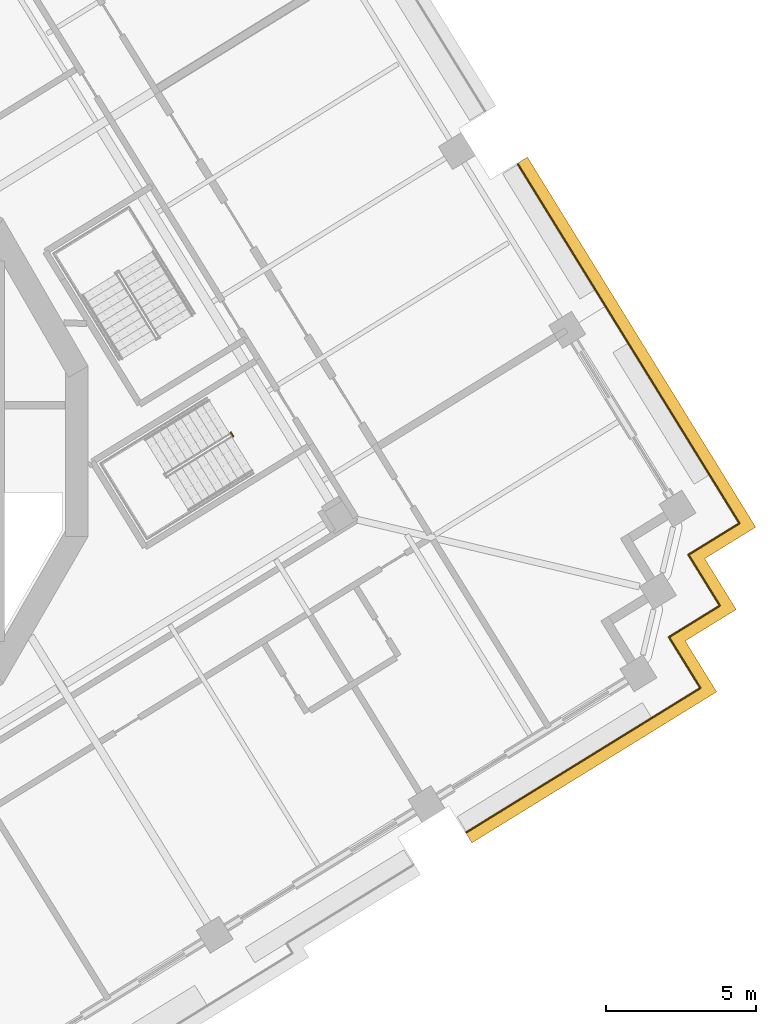
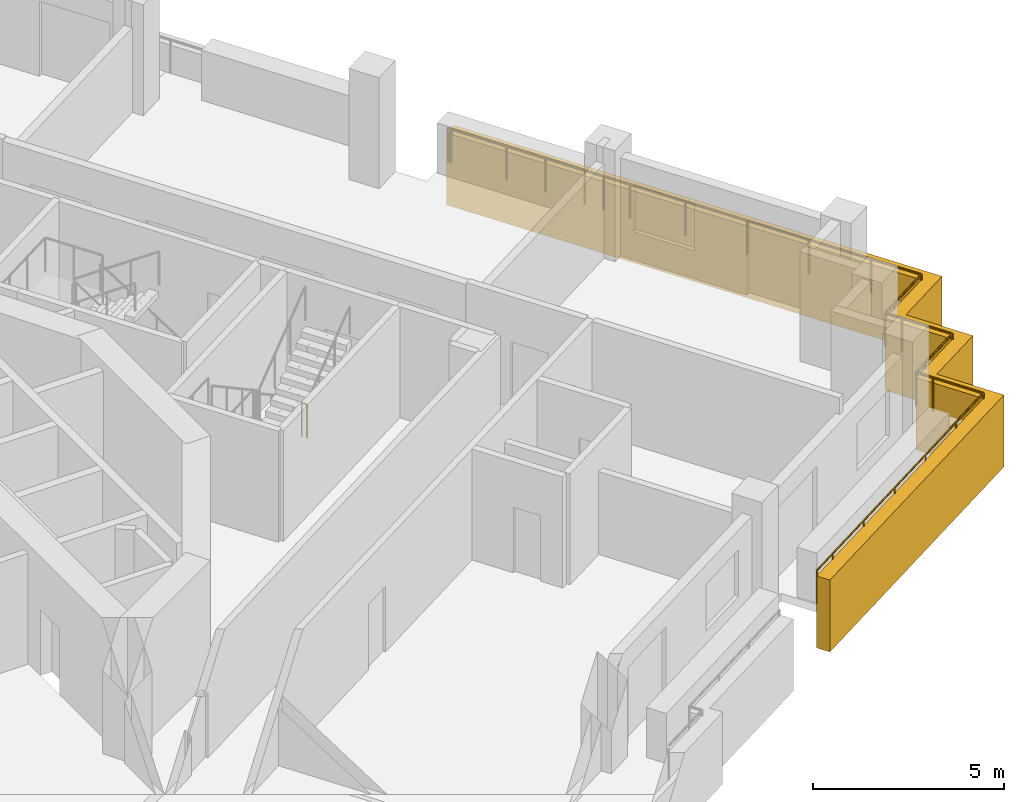
# One storey, part 16 of 20: 3 railings, 1 covering.
"""IFC4 building model written with IfcOpenShell, lengths in metres."""

import ifcopenshell
import ifcopenshell.guid

model = None  # the IFC model being written
_history = None  # IfcOwnerHistory: only IFC2X3 demands one
_inside = {}  # id of a spatial element -> (the spatial element, [elements in it])
_under = {}  # id of a project, library or spatial element -> (it, [spatial elements below it])
_declared = {}  # id of a project -> (the project, [libraries it declares])
_typed = {}  # id of a type object -> (the type object, [elements of that type])
_made_of = {}  # id of a material, layer set ... -> (it, [elements and type objects made of it])


def new_model(schema):
    """Start an empty IFC model of exactly this schema.

    Asked for "IFC4X3", IfcOpenShell would pick the latest addendum, in which some entities
    have other attributes; the version numbers below select the first issue.
    IFC2X3 requires an IfcOwnerHistory on every rooted entity: one is made here for all.
    """
    global model, _history
    if schema == "IFC4X3":
        model = ifcopenshell.file(schema_version=(4, 3, 0, 0))
    else:
        model = ifcopenshell.file(schema=schema)
    _inside.clear()
    _under.clear()
    _declared.clear()
    _typed.clear()
    _made_of.clear()
    _history = None
    if model.schema == "IFC2X3":
        org = make("IfcOrganization", Name="unknown")
        user = make(
            "IfcPersonAndOrganization",
            ThePerson=make("IfcPerson", FamilyName="unknown"),
            TheOrganization=org,
        )
        app = make(
            "IfcApplication",
            ApplicationDeveloper=org,
            Version="unknown",
            ApplicationFullName="unknown",
            ApplicationIdentifier="unknown",
        )
        _history = make(
            "IfcOwnerHistory",
            OwningUser=user,
            OwningApplication=app,
            ChangeAction="ADDED",
            CreationDate=0,
        )
    return model


def make(cls, **values):
    """One entity of the class cls with the attributes given. An attribute that is None is left unset."""
    return model.create_entity(
        cls, **{name: value for name, value in values.items() if value is not None}
    )


def rooted(cls, **values):
    """An entity with a GlobalId (a new one), such as an element, a storey or a relation."""
    return make(cls, GlobalId=ifcopenshell.guid.new(), OwnerHistory=_history, **values)


def si_unit(unit_type, name, prefix=None):
    """IfcSIUnit, for example si_unit("LENGTHUNIT", "METRE", prefix="MILLI")."""
    return make("IfcSIUnit", UnitType=unit_type, Prefix=prefix, Name=name)


def assignment(units):
    """IfcUnitAssignment: the units of a project."""
    return None if units is None else make("IfcUnitAssignment", Units=units)


def point(xyz):
    """IfcCartesianPoint."""
    return None if xyz is None else make("IfcCartesianPoint", Coordinates=xyz)


def direction(xyz):
    """IfcDirection."""
    return None if xyz is None else make("IfcDirection", DirectionRatios=xyz)


def frame(location, z_axis=None, x_axis=None):
    """IfcAxis2Placement3D, a coordinate frame: its origin and axes. An axis left out is left unset."""
    return make(
        "IfcAxis2Placement3D",
        Location=point(location),
        Axis=direction(z_axis),
        RefDirection=direction(x_axis),
    )


def frame_2d(location, x_axis=None):
    """IfcAxis2Placement2D, a coordinate frame in the plane: its origin and x axis."""
    return make(
        "IfcAxis2Placement2D", Location=point(location), RefDirection=direction(x_axis)
    )


def origin():
    """The frame at (0, 0, 0) with its axes left unset."""
    return frame((0.0, 0.0, 0.0))


def origin_2d():
    """The frame at (0, 0) in the plane with its x axis left unset."""
    return frame_2d((0.0, 0.0))


def place(relative_to, where):
    """IfcLocalPlacement: puts the frame where relative to a parent placement (None: the world)."""
    return make(
        "IfcLocalPlacement", PlacementRelTo=relative_to, RelativePlacement=where
    )


def context(
    kind, dimensions, precision=None, world=None, true_north=None, identifier=None
):
    """IfcGeometricRepresentationContext, for example the 3D "Model" context."""
    return make(
        "IfcGeometricRepresentationContext",
        ContextIdentifier=identifier,
        ContextType=kind,
        CoordinateSpaceDimension=dimensions,
        Precision=precision,
        WorldCoordinateSystem=world,
        TrueNorth=true_north,
    )


def subcontext(parent, identifier, kind, view, scale=None):
    """IfcGeometricRepresentationSubContext, for example "Body" below "Model"."""
    return make(
        "IfcGeometricRepresentationSubContext",
        ContextIdentifier=identifier,
        ContextType=kind,
        ParentContext=parent,
        TargetScale=scale,
        TargetView=view,
    )


def project(units=None, contexts=None):
    """IfcProject with its units and contexts."""
    return rooted(
        "IfcProject",
        Name="project",
        RepresentationContexts=contexts,
        UnitsInContext=assignment(units),
    )


def spatial(cls, under=None, at=None, **own):
    """A site, building, storey or space (cls), placed at a placement, below another one or the project."""
    s = rooted(cls, ObjectPlacement=at, **own)
    if under is not None:
        _under.setdefault(under.id(), (under, []))[1].append(s)
    return s


def polyline(points):
    """IfcPolyline through the points."""
    return make("IfcPolyline", Points=[point(p) for p in points])


def profile(cls, at=None, kind="AREA", **sizes):
    """A parametric profile (cls). Its sizes go by their IFC names, for example OverallWidth=200.0."""
    return make(cls, ProfileType=kind, Position=at, **sizes)


def circle(**sizes):
    """IfcCircleProfileDef."""
    return profile("IfcCircleProfileDef", **sizes)


def outline(outer, holes=None, kind="AREA"):
    """IfcArbitraryClosedProfileDef: a profile drawn as a closed curve; with holes, ...WithVoids."""
    if holes is None:
        return make("IfcArbitraryClosedProfileDef", ProfileType=kind, OuterCurve=outer)
    return make(
        "IfcArbitraryProfileDefWithVoids",
        ProfileType=kind,
        OuterCurve=outer,
        InnerCurves=holes,
    )


def extrude(swept, where, along, depth):
    """IfcExtrudedAreaSolid: the profile swept, set in the frame where, extruded along a direction by depth."""
    return make(
        "IfcExtrudedAreaSolid",
        SweptArea=swept,
        Position=where,
        ExtrudedDirection=direction(along),
        Depth=depth,
    )


def shape(context_of_items, identifier, shape_type, items):
    """IfcShapeRepresentation: the items that make up one representation, for example the "Body"."""
    return make(
        "IfcShapeRepresentation",
        ContextOfItems=context_of_items,
        RepresentationIdentifier=identifier,
        RepresentationType=shape_type,
        Items=items,
    )


def material(Name=None, Category=None):
    """IfcMaterial."""
    return make("IfcMaterial", Name=Name, Category=Category)


def made_of(thing, what):
    """Note that an element or type object is made of a material, layer set ...; save() writes the relation."""
    if what is not None:
        _made_of.setdefault(what.id(), (what, []))[1].append(thing)
    return thing


def type_object(cls, material=None, **own):
    """A type object (cls), such as IfcWallType, which elements share."""
    return made_of(rooted(cls, **own), material)


def element(
    cls,
    number,
    at=None,
    inside=None,
    cuts=None,
    type_object=None,
    material=None,
    context=None,
    identifier="Body",
    shape_type=None,
    held_by="IfcProductDefinitionShape",
    body=None,
    shapes=None,
    **own,
):
    """One element of the class cls, such as IfcWall. Its Tag is "e" and its number.

    at: its placement. inside: the storey or other place that contains it. cuts: it is an
    opening in that element (IfcRelVoidsElement). A single representation is given by context,
    identifier, shape_type and body (its items); several are given by shapes. held_by: the class
    of the entity that holds the representations. save() writes the other relations.
    """
    e = rooted(cls, Tag="e%d" % number, ObjectPlacement=at, **own)
    if body is not None:
        shapes = [shape(context, identifier, shape_type, body)]
    if shapes is not None:
        e.Representation = make(held_by, Representations=shapes)
    if inside is not None:
        _inside.setdefault(inside.id(), (inside, []))[1].append(e)
    if cuts is not None:
        rooted(
            "IfcRelVoidsElement", RelatingBuildingElement=cuts, RelatedOpeningElement=e
        )
    if type_object is not None:
        _typed.setdefault(type_object.id(), (type_object, []))[1].append(e)
    return made_of(e, material)


def aggregate(whole, parts):
    """IfcRelAggregates: a whole, such as a stair, and the parts it consists of."""
    return rooted("IfcRelAggregates", RelatingObject=whole, RelatedObjects=parts)


def save(model, path):
    """Write the relations noted so far, then the file.

    IfcRelAggregates (storeys below a building ...), IfcRelContainedInSpatialStructure (elements
    in a storey), IfcRelDefinesByType, IfcRelAssociatesMaterial and IfcRelDeclares: one each for
    every whole, place, type object, material and project.
    """
    for whole, parts in _under.values():
        aggregate(whole, parts)
    for where, things in _inside.values():
        rooted(
            "IfcRelContainedInSpatialStructure",
            RelatedElements=things,
            RelatingStructure=where,
        )
    for kind, things in _typed.values():
        rooted("IfcRelDefinesByType", RelatedObjects=things, RelatingType=kind)
    for what, things in _made_of.values():
        rooted("IfcRelAssociatesMaterial", RelatedObjects=things, RelatingMaterial=what)
    for by, libraries in _declared.values():
        rooted("IfcRelDeclares", RelatingContext=by, RelatedDefinitions=libraries)
    model.write(path)


model = new_model("IFC4")

# Units and contexts
model_context = context("Model", 3, precision=1e-05, world=origin(), true_north=direction((0.0, 1.0)))
body_context = subcontext(model_context, "Body", "Model", "MODEL_VIEW")
ifc_project = project(units=[si_unit("LENGTHUNIT", "METRE"), si_unit("AREAUNIT", "SQUARE_METRE"), si_unit("VOLUMEUNIT", "CUBIC_METRE"), si_unit("PLANEANGLEUNIT", "RADIAN"), si_unit("MASSUNIT", "GRAM", prefix="KILO")], contexts=[model_context])

# Site, building, storey
site_placement = place(None, origin())
site = spatial("IfcSite", under=ifc_project, at=site_placement, CompositionType="ELEMENT")
building_placement = place(site_placement, origin())
building = spatial("IfcBuilding", under=site, at=building_placement, Name="Cantera Rosa Tower", CompositionType="ELEMENT")
storey_placement = place(building_placement, frame((0.0, 0.0, 181.800048828125)))
storey = spatial("IfcBuildingStorey", under=building, at=storey_placement, Name="L40", CompositionType="ELEMENT", Elevation=181.800048828125)

# Railings
ifc_material_1 = material(Name="Stainless steel and laminated glass", Category="steel")
railing_type_1 = type_object("IfcRailingType", Name="GUARD 1100", PredefinedType="BALUSTRADE", material=ifc_material_1)
railing_1_placement = place(storey_placement, frame((30.293212890625, -6.634521484375, 0.0)))
element("IfcRailing", 1, at=railing_1_placement, inside=storey, type_object=railing_type_1, Name="GUARD L40-11", PredefinedType="BALUSTRADE", context=body_context, shape_type="SweptSolid", body=[
    extrude(circle(Radius=0.030029296875, at=origin_2d()), frame((0.0, 0.0, 1.070068359375), z_axis=(0.524869051004, -0.85118298814, 0.0), x_axis=(0.85118298814, 0.524869051004, 0.0)), (0.0, 0.0, 1.0), 1.5),
    extrude(circle(Radius=0.030029296875, at=origin_2d()), frame((0.787353515625, -1.27685546875, 1.070068359375), z_axis=(-0.851138143202, -0.52494176933, 0.0), x_axis=(0.52494176933, -0.851138143202, 0.0)), (0.0, 0.0, 1.0), 1.5),
    extrude(circle(Radius=0.030029296875, at=origin_2d()), frame((-0.4892578125, -2.064208984375, 1.070068359375), z_axis=(-0.851120753703, -0.524969963537, 0.0), x_axis=(0.524969963537, -0.851120753703, 0.0)), (0.0, 0.0, 1.0), 6.820068359375),
    extrude(circle(Radius=0.030029296875, at=origin_2d()), frame((-6.2939453125, -5.64453125, 1.070068359375), z_axis=(-0.851089370259, -0.525020841331, 0.0), x_axis=(0.525020841331, -0.851089370259, 0.0)), (0.0, 0.0, 1.0), 0.8701171875),
    extrude(circle(Radius=0.02490234375, at=origin_2d()), origin(), (0.0, 0.0, 1.0), 1.0400390625),
    extrude(circle(Radius=0.02490234375, at=origin_2d()), frame((0.787353515625, -1.27685546875, 0.0)), (0.0, 0.0, 1.0), 1.0400390625),
    extrude(circle(Radius=0.02490234375, at=origin_2d()), frame((-0.4892578125, -2.064208984375, 0.0)), (0.0, 0.0, 1.0), 1.0400390625),
    extrude(circle(Radius=0.02490234375, at=origin_2d()), frame((-1.9404296875, -2.959228515625, 0.0)), (0.0, 0.0, 1.0), 1.0400390625),
    extrude(circle(Radius=0.02490234375, at=origin_2d()), frame((-3.3916015625, -3.8544921875, 0.0)), (0.0, 0.0, 1.0), 1.0400390625),
    extrude(circle(Radius=0.02490234375, at=origin_2d()), frame((-4.8427734375, -4.74951171875, 0.0)), (0.0, 0.0, 1.0), 1.0400390625),
    extrude(circle(Radius=0.02490234375, at=origin_2d()), frame((-6.2939453125, -5.64453125, 0.0)), (0.0, 0.0, 1.0), 1.0400390625),
    extrude(circle(Radius=0.02490234375, at=origin_2d()), frame((-7.034423828125, -6.101318359375, 0.0)), (0.0, 0.0, 1.0), 1.0400390625),
])
railing_2_placement = place(storey_placement, frame((24.977783203125, 9.602294921875, 0.0)))
element("IfcRailing", 2, at=railing_2_placement, inside=storey, type_object=railing_type_1, Name="GUARD L40-12", PredefinedType="BALUSTRADE", context=body_context, shape_type="SweptSolid", body=[
    extrude(circle(Radius=0.030029296875, at=origin_2d()), frame((0.0, 0.0, 1.070068359375), z_axis=(0.523707774199, -0.851897979364, 0.0), x_axis=(0.851897979364, 0.523707774199, 0.0)), (0.0, 0.0, 1.0), 0.06982421875),
    extrude(circle(Radius=0.030029296875, at=origin_2d()), frame((0.03662109375, -0.0595703125, 1.070068359375), z_axis=(0.527362861778, -0.849640166198, 0.0), x_axis=(0.849640166198, 0.527362861778, 0.0)), (0.0, 0.0, 1.0), 0.050048828125),
    extrude(circle(Radius=0.030029296875, at=origin_2d()), frame((0.06298828125, -0.10205078125, 1.070068359375), z_axis=(0.524994832638, -0.851105413979, 0.0), x_axis=(0.851105413979, 0.524994832638, 0.0)), (0.0, 0.0, 1.0), 1.638671875),
    extrude(circle(Radius=0.030029296875, at=origin_2d()), frame((0.92333984375, -1.496826171875, 1.070068359375), z_axis=(0.524991127866, -0.851107699215, 0.0), x_axis=(0.851107699215, 0.524991127866, 0.0)), (0.0, 0.0, 1.0), 2.331298828125),
    extrude(circle(Radius=0.030029296875, at=origin_2d()), frame((2.147216796875, -3.48095703125, 1.070068359375), z_axis=(0.524708727401, -0.851281828415, 0.0), x_axis=(0.851281828415, 0.524708727401, 0.0)), (0.0, 0.0, 1.0), 0.556884765625),
    extrude(circle(Radius=0.030029296875, at=origin_2d()), frame((2.439453125, -3.955078125, 1.070068359375), z_axis=(0.525093097902, -0.85104479232, 0.0), x_axis=(0.85104479232, 0.525093097902, 0.0)), (0.0, 0.0, 1.0), 0.793212890625),
    extrude(circle(Radius=0.030029296875, at=origin_2d()), frame((2.85595703125, -4.630126953125, 1.070068359375), z_axis=(0.52498875388, -0.851109163562, 0.0), x_axis=(0.851109163562, 0.52498875388, 0.0)), (0.0, 0.0, 1.0), 1.64990234375),
    extrude(circle(Radius=0.030029296875, at=origin_2d()), frame((3.72216796875, -6.034423828125, 1.070068359375), z_axis=(0.524968277683, -0.851121793533, 0.0), x_axis=(0.851121793533, 0.524968277683, 0.0)), (0.0, 0.0, 1.0), 5.519775390625),
    extrude(circle(Radius=0.030029296875, at=origin_2d()), frame((6.619873046875, -10.732421875, 1.070068359375), z_axis=(0.524986950369, -0.851110276017, 0.0), x_axis=(0.851110276017, 0.524986950369, 0.0)), (0.0, 0.0, 1.0), 1.500244140625),
    extrude(circle(Radius=0.030029296875, at=origin_2d()), frame((7.407470703125, -12.00927734375, 1.070068359375), z_axis=(-0.85118298814, -0.524869051004, 0.0), x_axis=(0.524869051004, -0.85118298814, 0.0)), (0.0, 0.0, 1.0), 1.5),
    extrude(circle(Radius=0.030029296875, at=origin_2d()), frame((6.130615234375, -12.796630859375, 1.070068359375), z_axis=(-0.851138143202, -0.52494176933, 0.0), x_axis=(0.52494176933, -0.851138143202, 0.0)), (0.0, 0.0, 1.0), 0.5),
    extrude(circle(Radius=0.030029296875, at=origin_2d()), frame((5.705078125, -13.05908203125, 1.070068359375), z_axis=(0.52494176933, -0.851138143202, 0.0), x_axis=(0.851138143202, 0.52494176933, 0.0)), (0.0, 0.0, 1.0), 0.5),
    extrude(circle(Radius=0.030029296875, at=origin_2d()), frame((5.967529296875, -13.484619140625, 1.070068359375), z_axis=(0.524986950369, -0.851110276017, 0.0), x_axis=(0.851110276017, 0.524986950369, 0.0)), (0.0, 0.0, 1.0), 1.500244140625),
    extrude(circle(Radius=0.030029296875, at=origin_2d()), frame((6.755126953125, -14.761474609375, 1.070068359375), z_axis=(-0.851138143202, -0.52494176933, 0.0), x_axis=(0.52494176933, -0.851138143202, 0.0)), (0.0, 0.0, 1.0), 1.5),
    extrude(circle(Radius=0.030029296875, at=origin_2d()), frame((5.478515625, -15.548828125, 1.070068359375), z_axis=(-0.851138143202, -0.52494176933, 0.0), x_axis=(0.52494176933, -0.851138143202, 0.0)), (0.0, 0.0, 1.0), 0.5),
    extrude(circle(Radius=0.030029296875, at=origin_2d()), frame((5.052978515625, -15.811279296875, 1.070068359375), z_axis=(0.52494176933, -0.851138143202, 0.0), x_axis=(0.851138143202, 0.52494176933, 0.0)), (0.0, 0.0, 1.0), 0.5),
    extrude(circle(Radius=0.02490234375, at=origin_2d()), origin(), (0.0, 0.0, 1.0), 1.0400390625),
    extrude(circle(Radius=0.02490234375, at=origin_2d()), frame((0.03662109375, -0.0595703125, 0.0)), (0.0, 0.0, 1.0), 1.0400390625),
    extrude(circle(Radius=0.02490234375, at=origin_2d()), frame((0.06298828125, -0.10205078125, 0.0)), (0.0, 0.0, 1.0), 1.0400390625),
    extrude(circle(Radius=0.02490234375, at=origin_2d()), frame((0.92333984375, -1.496826171875, 0.0)), (0.0, 0.0, 1.0), 1.0400390625),
    extrude(circle(Radius=0.02490234375, at=origin_2d()), frame((1.53515625, -2.48876953125, 0.0)), (0.0, 0.0, 1.0), 1.0400390625),
    extrude(circle(Radius=0.02490234375, at=origin_2d()), frame((2.147216796875, -3.48095703125, 0.0)), (0.0, 0.0, 1.0), 1.0400390625),
    extrude(circle(Radius=0.02490234375, at=origin_2d()), frame((2.439453125, -3.955078125, 0.0)), (0.0, 0.0, 1.0), 1.0400390625),
    extrude(circle(Radius=0.02490234375, at=origin_2d()), frame((2.85595703125, -4.630126953125, 0.0)), (0.0, 0.0, 1.0), 1.0400390625),
    extrude(circle(Radius=0.02490234375, at=origin_2d()), frame((3.72216796875, -6.034423828125, 0.0)), (0.0, 0.0, 1.0), 1.0400390625),
    extrude(circle(Radius=0.02490234375, at=origin_2d()), frame((4.68798828125, -7.600341796875, 0.0)), (0.0, 0.0, 1.0), 1.0400390625),
    extrude(circle(Radius=0.02490234375, at=origin_2d()), frame((5.654052734375, -9.16650390625, 0.0)), (0.0, 0.0, 1.0), 1.0400390625),
    extrude(circle(Radius=0.02490234375, at=origin_2d()), frame((6.619873046875, -10.732421875, 0.0)), (0.0, 0.0, 1.0), 1.0400390625),
    extrude(circle(Radius=0.02490234375, at=origin_2d()), frame((7.407470703125, -12.00927734375, 0.0)), (0.0, 0.0, 1.0), 1.0400390625),
    extrude(circle(Radius=0.02490234375, at=origin_2d()), frame((6.130615234375, -12.796630859375, 0.0)), (0.0, 0.0, 1.0), 1.0400390625),
    extrude(circle(Radius=0.02490234375, at=origin_2d()), frame((5.705078125, -13.05908203125, 0.0)), (0.0, 0.0, 1.0), 1.0400390625),
    extrude(circle(Radius=0.02490234375, at=origin_2d()), frame((5.967529296875, -13.484619140625, 0.0)), (0.0, 0.0, 1.0), 1.0400390625),
    extrude(circle(Radius=0.02490234375, at=origin_2d()), frame((6.755126953125, -14.761474609375, 0.0)), (0.0, 0.0, 1.0), 1.0400390625),
    extrude(circle(Radius=0.02490234375, at=origin_2d()), frame((5.478515625, -15.548828125, 0.0)), (0.0, 0.0, 1.0), 1.0400390625),
    extrude(circle(Radius=0.02490234375, at=origin_2d()), frame((5.052978515625, -15.811279296875, 0.0)), (0.0, 0.0, 1.0), 1.0400390625),
    extrude(circle(Radius=0.02490234375, at=origin_2d()), frame((5.3154296875, -16.23681640625, 0.0)), (0.0, 0.0, 1.0), 1.0400390625),
])
ifc_material_2 = material(Name="Steel S355J2 (EN 10025-2)", Category="steel")
railing_type_2 = type_object("IfcRailingType", Name="STAIR GUARD 1100", PredefinedType="GUARDRAIL", material=ifc_material_2)
railing_3_placement = place(storey_placement, frame((15.394775390625, 0.625, 0.0)))
element("IfcRailing", 3, at=railing_3_placement, inside=storey, type_object=railing_type_2, Name="L40 ST-34 stair guard 3", PredefinedType="GUARDRAIL", context=body_context, shape_type="SweptSolid", body=[
    extrude(circle(Radius=0.02392578125, at=origin_2d()), frame((0.0, 0.0, 1.076171875), z_axis=(0.524279100842, -0.851546489876, 0.0), x_axis=(0.851546489876, 0.524279100842, 0.0)), (0.0, 0.0, 1.0), 0.14990234375),
    extrude(circle(Radius=0.02099609375, at=origin_2d()), origin(), (0.0, 0.0, 1.0), 1.052001953125),
    extrude(circle(Radius=0.02099609375, at=origin_2d()), frame((0.07861328125, -0.127685546875, 0.0)), (0.0, 0.0, 1.0), 1.052001953125),
])

# Covering
ifc_material_3 = material(Name="Cantera stone", Category="masonry")
covering_type = type_object("IfcCoveringType", Name="TRAY FASCIA 400", PredefinedType="CLADDING", material=ifc_material_3)
covering_placement = place(storey_placement, frame((0.0, 0.0, -1.400146484375)))
element("IfcCovering", 4, at=covering_placement, inside=storey, type_object=covering_type, Name="TRAY FASCIA L40-06", PredefinedType="CLADDING", context=body_context, shape_type="SweptSolid", body=[
    extrude(outline(polyline([(25.35498046875, 9.752685546875), (27.46533203125, 6.331298828125), (29.040283203125, 3.77783203125), (31.938232421875, -0.920166015625), (32.935546875, -2.537353515625), (31.2333984375, -3.58740234375), (31.285888671875, -3.67236328125), (32.283447265625, -5.28955078125), (30.666259765625, -6.286865234375), (30.5810546875, -6.339599609375), (30.633544921875, -6.424560546875), (31.631103515625, -8.041748046875), (30.013916015625, -9.0390625), (24.209228515625, -12.61962890625), (23.451904296875, -13.086669921875), (23.241943359375, -12.746337890625), (23.999267578125, -12.279052734375), (29.803955078125, -8.69873046875), (31.08056640625, -7.911376953125), (30.293212890625, -6.634521484375), (30.03076171875, -6.208984375), (30.456298828125, -5.946533203125), (31.73291015625, -5.1591796875), (30.9453125, -3.88232421875), (30.682861328125, -3.456787109375), (31.1083984375, -3.1943359375), (32.38525390625, -2.406982421875), (31.59765625, -1.130126953125), (28.699951171875, 3.56787109375), (27.125, 6.121337890625), (25.014404296875, 9.542724609375), (24.96728515625, 9.619384765625), (25.3076171875, 9.829345703125), (25.35498046875, 9.752685546875)])), origin(), (0.0, 0.0, 1.0), 2.300048828125),
])

save(model, "model.ifc")
